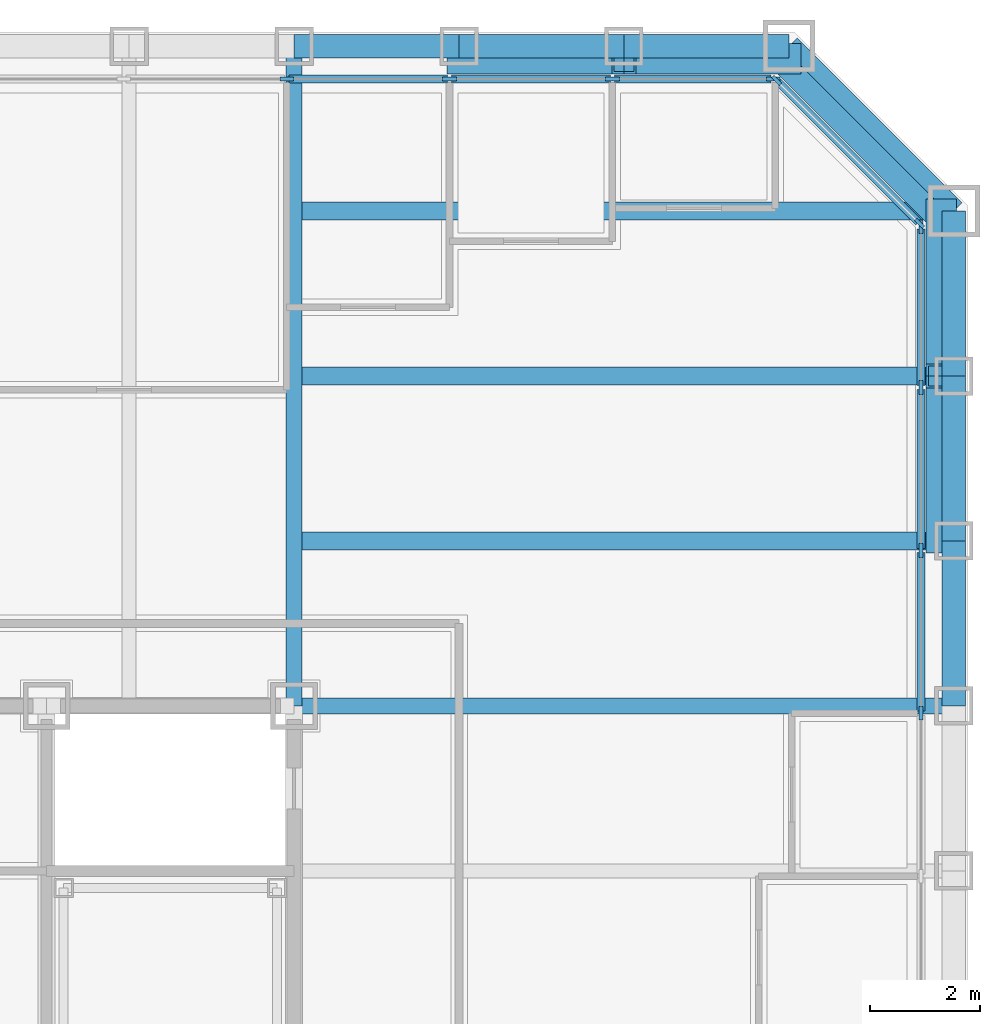
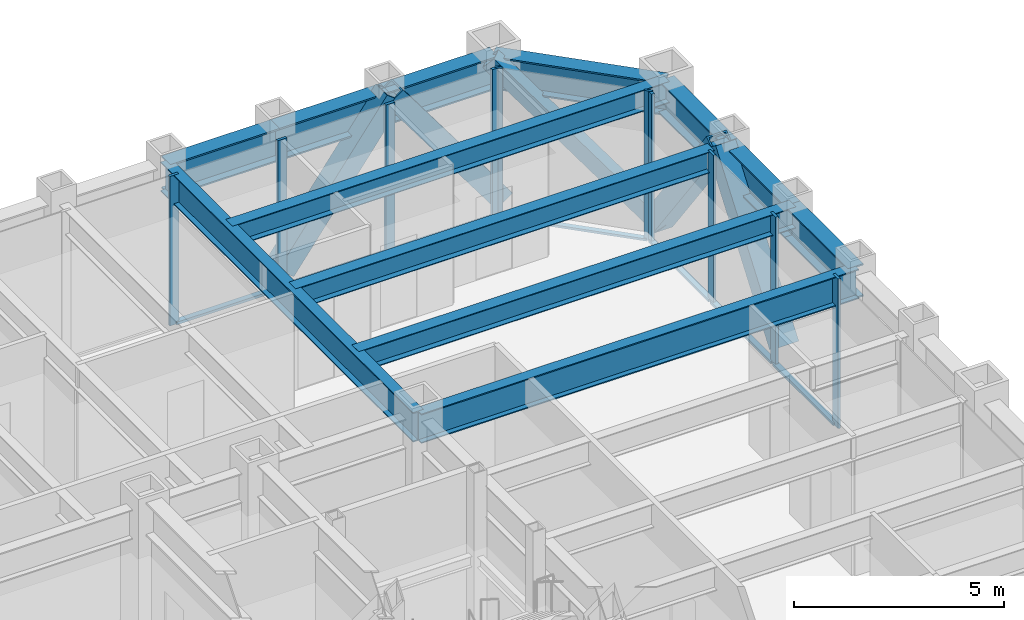
# One storey, part 6 of 16: 22 members, 12 beams, 3 elements without a shape of their own.
"""IFC4 building model written with IfcOpenShell, lengths in metres."""

from ifc_helpers import new_model, si_unit, direction, frame, origin, origin_2d, place, context, subcontext, project, spatial, rectangle, hollow_rectangle, i_section, extrude, material, layer, layer_set, material_profile, profile_set, type_object, element, aggregate, save


model = new_model("IFC4")

# Units and contexts
model_context = context("Model", 3, precision=1e-05, world=origin(), true_north=direction((0.0, 1.0)))
body_context = subcontext(model_context, "Body", "Model", "MODEL_VIEW")
ifc_project = project(units=[si_unit("LENGTHUNIT", "METRE"), si_unit("AREAUNIT", "SQUARE_METRE"), si_unit("VOLUMEUNIT", "CUBIC_METRE"), si_unit("PLANEANGLEUNIT", "RADIAN"), si_unit("MASSUNIT", "GRAM", prefix="KILO")], contexts=[model_context])

# Site, building, storey
site_placement = place(None, origin())
site = spatial("IfcSite", under=ifc_project, at=site_placement, CompositionType="ELEMENT")
building_placement = place(site_placement, origin())
building = spatial("IfcBuilding", under=site, at=building_placement, Name="Chuquiago Exchange Tower", CompositionType="ELEMENT")
storey_placement = place(building_placement, frame((0.0, 0.0, 51.300048828125)))
storey = spatial("IfcBuildingStorey", under=building, at=storey_placement, Name="L10", CompositionType="ELEMENT", Elevation=51.300048828125)

# Beams
ifc_material_1 = material(Name="Steel ASTM A992", Category="steel")
ifc_material_profile_1 = material_profile(ifc_material_1, i_section(OverallWidth=0.3251953125, OverallDepth=0.6171875, WebThickness=0.013916015625, FlangeThickness=0.021484375, at=origin_2d()), Name="W24X117")
ifc_profile_set_1 = profile_set([ifc_material_profile_1], Name="Steel ASTM A992")
beam_type_1 = type_object("IfcBeamType", Name="B5 W24X117", PredefinedType="BEAM", material=ifc_profile_set_1)
for number, where, z_axis, x_axis, name in (
    (1, (33.0, 36.0, 3.7314453125), (1.0, 0.0, 0.0), (0.0, 1.0, 0.0), "FB-L11-corner-33_36-45_36-0"),
    (2, (33.0, 39.0, 3.7314453125), (1.0, 0.0, 0.0), (0.0, 1.0, 0.0), "FB-L11-corner-33_39-45_39-0"),
    (3, (33.0, 42.0, 3.7314453125), (1.0, 0.0, 0.0), (0.0, 1.0, 0.0), "FB-L11-corner-33_42-45_42-0"),
):
    element("IfcBeam", number, at=place(storey_placement, frame(where, z_axis=z_axis, x_axis=x_axis)), inside=storey, type_object=beam_type_1, Name=name, PredefinedType="BEAM", context=body_context, shape_type="SweptSolid", body=[
        extrude(i_section(OverallWidth=0.3251953125, OverallDepth=0.6171875, WebThickness=0.013916015625, FlangeThickness=0.021484375, at=origin_2d()), origin(), (0.0, 0.0, 1.0), 12.0),
    ])

# Curtain wall, members
ifc_material_2 = material(Name="Aluminium curtain wall system", Category="aluminium")
ifc_layer_1 = layer(ifc_material_2, 0.25)
ifc_layer_set_1 = layer_set([ifc_layer_1], Name="CW1 trading floor curtain wall")
curtain_wall_type_1 = type_object("IfcCurtainWallType", Name="CW1 trading floor curtain wall", PredefinedType="NOTDEFINED", material=ifc_layer_set_1)
curtain_wall_1_placement = place(storey_placement, origin())
curtain_wall_1 = element("IfcCurtainWall", 4, at=curtain_wall_1_placement, inside=storey, type_object=curtain_wall_type_1, Name="CW1 curtain wall L10", PredefinedType="NOTDEFINED")
ifc_material_3 = material(Name="Aluminium mullion, pale anodised", Category="aluminium")
ifc_material_profile_2 = material_profile(ifc_material_3, rectangle(XDim=0.074951171875, YDim=0.25, at=origin_2d()), Name="AL 75x250")
ifc_profile_set_2 = profile_set([ifc_material_profile_2], Name="Aluminium mullion, pale anodised")
member_type_1 = type_object("IfcMemberType", Name="CW1-M mullion 75x250", PredefinedType="MULLION", material=ifc_profile_set_2)
member_1_placement = place(storey_placement, frame((44.39990234375, 32.8662109375, -0.300048828125), z_axis=(0.0, 0.0, 1.0), x_axis=(-1.0, 0.0, 0.0)))
member_1 = element("IfcMember", 5, at=member_1_placement, type_object=member_type_1, Name="CW1 mullion 11", PredefinedType="MULLION", context=body_context, shape_type="SweptSolid", body=[
    extrude(rectangle(XDim=0.074951171875, YDim=0.25, at=origin_2d()), origin(), (0.0, 0.0, 1.0), 4.340087890625),
])
member_2_placement = place(storey_placement, frame((44.39990234375, 35.827880859375, -0.300048828125), z_axis=(0.0, 0.0, 1.0), x_axis=(-1.0, 0.0, 0.0)))
member_2 = element("IfcMember", 6, at=member_2_placement, type_object=member_type_1, Name="CW1 mullion 12", PredefinedType="MULLION", context=body_context, shape_type="SweptSolid", body=[
    extrude(rectangle(XDim=0.074951171875, YDim=0.25, at=origin_2d()), origin(), (0.0, 0.0, 1.0), 4.340087890625),
])
member_3_placement = place(storey_placement, frame((44.39990234375, 38.789794921875, -0.300048828125), z_axis=(0.0, 0.0, 1.0), x_axis=(-1.0, 0.0, 0.0)))
member_3 = element("IfcMember", 7, at=member_3_placement, type_object=member_type_1, Name="CW1 mullion 13", PredefinedType="MULLION", context=body_context, shape_type="SweptSolid", body=[
    extrude(rectangle(XDim=0.074951171875, YDim=0.25, at=origin_2d()), origin(), (0.0, 0.0, 1.0), 4.340087890625),
])
member_4_placement = place(storey_placement, frame((44.39990234375, 41.714111328125, -0.300048828125), z_axis=(0.0, 0.0, 1.0), x_axis=(-1.0, 0.0, 0.0)))
member_4 = element("IfcMember", 8, at=member_4_placement, type_object=member_type_1, Name="CW1 mullion 14", PredefinedType="MULLION", context=body_context, shape_type="SweptSolid", body=[
    extrude(rectangle(XDim=0.074951171875, YDim=0.25, at=origin_2d()), origin(), (0.0, 0.0, 1.0), 4.340087890625),
])

curtain_wall_2_placement = place(storey_placement, origin())
curtain_wall_2 = element("IfcCurtainWall", 9, at=curtain_wall_2_placement, inside=storey, type_object=curtain_wall_type_1, Name="CW1 curtain wall L10", PredefinedType="NOTDEFINED")
member_5_placement = place(storey_placement, frame((41.714111328125, 44.39990234375, -0.300048828125), z_axis=(0.0, 0.0, 1.0), x_axis=(0.0, -1.0, 0.0)))
member_5 = element("IfcMember", 10, at=member_5_placement, type_object=member_type_1, Name="CW1 mullion 1", PredefinedType="MULLION", context=body_context, shape_type="SweptSolid", body=[
    extrude(rectangle(XDim=0.074951171875, YDim=0.25, at=origin_2d()), origin(), (0.0, 0.0, 1.0), 4.340087890625),
])
member_6_placement = place(storey_placement, frame((38.789794921875, 44.39990234375, -0.300048828125), z_axis=(0.0, 0.0, 1.0), x_axis=(0.0, -1.0, 0.0)))
member_6 = element("IfcMember", 11, at=member_6_placement, type_object=member_type_1, Name="CW1 mullion 2", PredefinedType="MULLION", context=body_context, shape_type="SweptSolid", body=[
    extrude(rectangle(XDim=0.074951171875, YDim=0.25, at=origin_2d()), origin(), (0.0, 0.0, 1.0), 4.340087890625),
])
member_7_placement = place(storey_placement, frame((35.827880859375, 44.39990234375, -0.300048828125), z_axis=(0.0, 0.0, 1.0), x_axis=(0.0, -1.0, 0.0)))
member_7 = element("IfcMember", 12, at=member_7_placement, type_object=member_type_1, Name="CW1 mullion 3", PredefinedType="MULLION", context=body_context, shape_type="SweptSolid", body=[
    extrude(rectangle(XDim=0.074951171875, YDim=0.25, at=origin_2d()), origin(), (0.0, 0.0, 1.0), 4.340087890625),
])
member_8_placement = place(storey_placement, frame((32.8662109375, 44.39990234375, -0.300048828125), z_axis=(0.0, 0.0, 1.0), x_axis=(0.0, -1.0, 0.0)))
member_8 = element("IfcMember", 13, at=member_8_placement, type_object=member_type_1, Name="CW1 mullion 4", PredefinedType="MULLION", context=body_context, shape_type="SweptSolid", body=[
    extrude(rectangle(XDim=0.074951171875, YDim=0.25, at=origin_2d()), origin(), (0.0, 0.0, 1.0), 4.340087890625),
])

# Member
ifc_material_4 = material(Name="Aluminium transom, pale anodised", Category="aluminium")
ifc_material_profile_3 = material_profile(ifc_material_4, rectangle(XDim=0.14990234375, YDim=0.074951171875, at=origin_2d()), Name="AL 150x75")
ifc_profile_set_3 = profile_set([ifc_material_profile_3], Name="Aluminium transom, pale anodised")
member_type_2 = type_object("IfcMemberType", Name="CW1-T transom 75x150", PredefinedType="MULLION", material=ifc_profile_set_3)
member_9_placement = place(storey_placement, frame((44.39990234375, 32.90380859375, -0.262451171875), z_axis=(0.0, 1.0, 0.0), x_axis=(-1.0, 0.0, 0.0)))
member_9 = element("IfcMember", 14, at=member_9_placement, type_object=member_type_2, Name="CW1 transom 11.1", PredefinedType="MULLION", context=body_context, shape_type="SweptSolid", body=[
    extrude(rectangle(XDim=0.14990234375, YDim=0.074951171875, at=origin_2d()), origin(), (0.0, 0.0, 1.0), 2.88671875),
])

member_10_placement = place(storey_placement, frame((44.39990234375, 35.865478515625, -0.262451171875), z_axis=(0.0, 1.0, 0.0), x_axis=(-1.0, 0.0, 0.0)))
member_10 = element("IfcMember", 15, at=member_10_placement, type_object=member_type_2, Name="CW1 transom 12.1", PredefinedType="MULLION", context=body_context, shape_type="SweptSolid", body=[
    extrude(rectangle(XDim=0.14990234375, YDim=0.074951171875, at=origin_2d()), origin(), (0.0, 0.0, 1.0), 2.88671875),
])

member_11_placement = place(storey_placement, frame((44.39990234375, 38.8271484375, -0.262451171875), z_axis=(0.0, 1.0, 0.0), x_axis=(-1.0, 0.0, 0.0)))
member_11 = element("IfcMember", 16, at=member_11_placement, type_object=member_type_2, Name="CW1 transom 13.1", PredefinedType="MULLION", context=body_context, shape_type="SweptSolid", body=[
    extrude(rectangle(XDim=0.14990234375, YDim=0.074951171875, at=origin_2d()), origin(), (0.0, 0.0, 1.0), 2.849365234375),
])

aggregate(curtain_wall_1, [member_1, member_2, member_3, member_4, member_9, member_10, member_11])

member_12_placement = place(storey_placement, frame((41.676513671875, 44.39990234375, -0.262451171875), z_axis=(-1.0, 0.0, 0.0), x_axis=(0.0, -1.0, 0.0)))
member_12 = element("IfcMember", 17, at=member_12_placement, type_object=member_type_2, Name="CW1 transom 1.1", PredefinedType="MULLION", context=body_context, shape_type="SweptSolid", body=[
    extrude(rectangle(XDim=0.14990234375, YDim=0.074951171875, at=origin_2d()), origin(), (0.0, 0.0, 1.0), 2.849365234375),
])

member_13_placement = place(storey_placement, frame((38.752197265625, 44.39990234375, -0.262451171875), z_axis=(-1.0, 0.0, 0.0), x_axis=(0.0, -1.0, 0.0)))
member_13 = element("IfcMember", 18, at=member_13_placement, type_object=member_type_2, Name="CW1 transom 2.1", PredefinedType="MULLION", context=body_context, shape_type="SweptSolid", body=[
    extrude(rectangle(XDim=0.14990234375, YDim=0.074951171875, at=origin_2d()), origin(), (0.0, 0.0, 1.0), 2.88671875),
])

member_14_placement = place(storey_placement, frame((35.79052734375, 44.39990234375, -0.262451171875), z_axis=(-1.0, 0.0, 0.0), x_axis=(0.0, -1.0, 0.0)))
member_14 = element("IfcMember", 19, at=member_14_placement, type_object=member_type_2, Name="CW1 transom 3.1", PredefinedType="MULLION", context=body_context, shape_type="SweptSolid", body=[
    extrude(rectangle(XDim=0.14990234375, YDim=0.074951171875, at=origin_2d()), origin(), (0.0, 0.0, 1.0), 2.88671875),
])

aggregate(curtain_wall_2, [member_5, member_6, member_7, member_8, member_12, member_13, member_14])

# Curtain wall, members
ifc_material_5 = material(Name="Aluminium curtain wall system", Category="aluminium")
ifc_layer_2 = layer(ifc_material_5, 0.199951171875)
ifc_layer_set_2 = layer_set([ifc_layer_2], Name="CW3 facet curtain wall")
curtain_wall_type_2 = type_object("IfcCurtainWallType", Name="CW3 facet curtain wall", PredefinedType="NOTDEFINED", material=ifc_layer_set_2)
curtain_wall_3_placement = place(storey_placement, origin())
curtain_wall_3 = element("IfcCurtainWall", 20, at=curtain_wall_3_placement, inside=storey, type_object=curtain_wall_type_2, Name="CW3 curtain wall L10", PredefinedType="NOTDEFINED")
ifc_material_6 = material(Name="Aluminium mullion, pale anodised", Category="aluminium")
ifc_material_profile_4 = material_profile(ifc_material_6, rectangle(XDim=0.06494140625, YDim=0.199951171875, at=origin_2d()), Name="AL 65x200")
ifc_profile_set_4 = profile_set([ifc_material_profile_4], Name="Aluminium mullion, pale anodised")
member_type_3 = type_object("IfcMemberType", Name="CW3-M mullion 65x200", PredefinedType="MULLION", material=ifc_profile_set_4)
member_15_placement = place(storey_placement, frame((44.376953125, 41.7744140625, -0.300048828125), z_axis=(0.0, 0.0, 1.0), x_axis=(-0.707106781187, -0.707106781187, 0.0)))
member_15 = element("IfcMember", 21, at=member_15_placement, type_object=member_type_3, Name="CW3 mullion 1", PredefinedType="MULLION", context=body_context, shape_type="SweptSolid", body=[
    extrude(rectangle(XDim=0.06494140625, YDim=0.199951171875, at=origin_2d()), origin(), (0.0, 0.0, 1.0), 4.340087890625),
])
member_16_placement = place(storey_placement, frame((41.7744140625, 44.376953125, -0.300048828125), z_axis=(0.0, 0.0, 1.0), x_axis=(-0.707106781187, -0.707106781187, 0.0)))
member_16 = element("IfcMember", 22, at=member_16_placement, type_object=member_type_3, Name="CW3 mullion 2", PredefinedType="MULLION", context=body_context, shape_type="SweptSolid", body=[
    extrude(rectangle(XDim=0.06494140625, YDim=0.199951171875, at=origin_2d()), origin(), (0.0, 0.0, 1.0), 4.340087890625),
])
ifc_material_7 = material(Name="Aluminium transom, pale anodised", Category="aluminium")
ifc_material_profile_5 = material_profile(ifc_material_7, rectangle(XDim=0.139892578125, YDim=0.06494140625, at=origin_2d()), Name="AL 140x65")
ifc_profile_set_5 = profile_set([ifc_material_profile_5], Name="Aluminium transom, pale anodised")
member_type_4 = type_object("IfcMemberType", Name="CW3-T transom 65x140", PredefinedType="MULLION", material=ifc_profile_set_5)
member_17_placement = place(storey_placement, frame((44.35400390625, 41.79736328125, -0.267578125), z_axis=(-0.707106781187, 0.707106781187, 0.0), x_axis=(-0.707106781187, -0.707106781187, 0.0)))
member_17 = element("IfcMember", 23, at=member_17_placement, type_object=member_type_4, Name="CW3 transom 1.1", PredefinedType="MULLION", context=body_context, shape_type="SweptSolid", body=[
    extrude(rectangle(XDim=0.139892578125, YDim=0.06494140625, at=origin_2d()), origin(), (0.0, 0.0, 1.0), 3.61572265625),
])
aggregate(curtain_wall_3, [member_15, member_16, member_17])

# Beams
ifc_material_8 = material(Name="Steel ASTM A992", Category="steel")
ifc_material_profile_6 = material_profile(ifc_material_8, i_section(OverallWidth=0.2919921875, OverallDepth=0.8583984375, WebThickness=0.01708984375, FlangeThickness=0.031005859375, at=origin_2d()), Name="W33X169")
ifc_profile_set_6 = profile_set([ifc_material_profile_6], Name="Steel ASTM A992")
beam_type_2 = type_object("IfcBeamType", Name="G2 W33X169", PredefinedType="BEAM", material=ifc_profile_set_6)
for number, where, z_axis, x_axis, name in (
    (24, (33.0, 33.0, 3.610595703125), (0.0, 1.0, 0.0), (-1.0, 0.0, 0.0), "FB-L11-girder-33_33-33_45-0"),
    (25, (33.0, 33.0, 3.610595703125), (1.0, 0.0, 0.0), (0.0, 1.0, 0.0), "FB-L11-girder-33_33-45_33-0"),
):
    element("IfcBeam", number, at=place(storey_placement, frame(where, z_axis=z_axis, x_axis=x_axis)), inside=storey, type_object=beam_type_2, Name=name, PredefinedType="BEAM", context=body_context, shape_type="SweptSolid", body=[
        extrude(i_section(OverallWidth=0.2919921875, OverallDepth=0.8583984375, WebThickness=0.01708984375, FlangeThickness=0.031005859375, at=origin_2d()), origin(), (0.0, 0.0, 1.0), 12.0),
    ])

# Members
ifc_material_9 = material(Name="Steel ASTM A500 Grade C", Category="steel")
ifc_material_profile_7 = material_profile(ifc_material_9, hollow_rectangle(XDim=0.406494140625, YDim=0.406494140625, WallThickness=0.0146484375, at=origin_2d()), Name="HSS16X16X5/8")
ifc_profile_set_7 = profile_set([ifc_material_profile_7], Name="Steel ASTM A500 Grade C")
member_type_5 = type_object("IfcMemberType", Name="LB4 HSS16X16X5/8", PredefinedType="BRACE", material=ifc_profile_set_7)
member_18_placement = place(storey_placement, frame((44.78662109375, 41.78662109375, 0.0), z_axis=(-0.512077265487, 0.512077265487, 0.689604051861), x_axis=(-0.707106781187, -0.707106781187, 0.0)))
element("IfcMember", 26, at=member_18_placement, inside=storey, type_object=member_type_5, Name="LB-L10-45_42-42_45", PredefinedType="BRACE", context=body_context, shape_type="SweptSolid", body=[
    extrude(hollow_rectangle(XDim=0.406494140625, YDim=0.406494140625, WallThickness=0.0146484375, at=origin_2d()), origin(), (0.0, 0.0, 1.0), 5.8583984375),
])
ifc_material_10 = material(Name="Steel ASTM A572 Grade 50", Category="steel")
ifc_material_profile_8 = material_profile(ifc_material_10, hollow_rectangle(XDim=0.550048828125, YDim=0.550048828125, WallThickness=0.044921875, at=origin_2d()), Name="BOX550X550X45")
ifc_profile_set_8 = profile_set([ifc_material_profile_8], Name="Steel ASTM A572 Grade 50")
member_type_6 = type_object("IfcMemberType", Name="MB1 BOX550X550X45", PredefinedType="BRACE", material=ifc_profile_set_8)
for number, where, z_axis, x_axis, name in (
    (27, (44.77001953125, 36.0, 0.0), (0.0, 0.596173923302, 0.802855312728), (-1.0, 0.0, 0.0), "Mega diagonal L10 E face"),
    (28, (44.77001953125, 42.0, 0.0), (0.0, -0.596173923302, 0.802855312728), (1.0, 0.0, 0.0), "Mega diagonal L10 E face"),
    (29, (42.0, 44.77001953125, 0.0), (-0.596173923302, 0.0, 0.802855312728), (0.0, -1.0, 0.0), "Mega diagonal L10 N face"),
    (30, (36.0, 44.77001953125, 0.0), (0.596173923302, 0.0, 0.802855312728), (0.0, 1.0, 0.0), "Mega diagonal L10 N face"),
):
    element("IfcMember", number, at=place(storey_placement, frame(where, z_axis=z_axis, x_axis=x_axis)), inside=storey, type_object=member_type_6, Name=name, PredefinedType="BRACE", context=body_context, shape_type="SweptSolid", body=[
        extrude(hollow_rectangle(XDim=0.550048828125, YDim=0.550048828125, WallThickness=0.044921875, at=origin_2d()), origin(), (0.0, 0.0, 1.0), 5.031982421875),
    ])

# Beams
ifc_material_11 = material(Name="Steel ASTM A992", Category="steel")
ifc_material_profile_9 = material_profile(ifc_material_11, i_section(OverallWidth=0.424072265625, OverallDepth=0.947509765625, WebThickness=0.02392578125, FlangeThickness=0.042724609375, at=origin_2d()), Name="W36X302")
ifc_profile_set_9 = profile_set([ifc_material_profile_9], Name="Steel ASTM A992")
beam_type_3 = type_object("IfcBeamType", Name="SP1 W36X302", PredefinedType="SPANDREL", material=ifc_profile_set_9)
for number, where, z_axis, x_axis, name in (
    (31, (45.0, 33.0, 3.566162109375), (0.0, 1.0, 0.0), (-1.0, 0.0, 0.0), "SPB-L11-45_33-45_36"),
    (32, (45.0, 36.0, 3.566162109375), (0.0, 1.0, 0.0), (-1.0, 0.0, 0.0), "SPB-L11-45_36-45_39"),
    (33, (45.0, 39.0, 3.566162109375), (0.0, 1.0, 0.0), (-1.0, 0.0, 0.0), "SPB-L11-45_39-45_42"),
):
    element("IfcBeam", number, at=place(storey_placement, frame(where, z_axis=z_axis, x_axis=x_axis)), inside=storey, type_object=beam_type_3, Name=name, PredefinedType="SPANDREL", context=body_context, shape_type="SweptSolid", body=[
        extrude(i_section(OverallWidth=0.424072265625, OverallDepth=0.947509765625, WebThickness=0.02392578125, FlangeThickness=0.042724609375, at=origin_2d()), origin(), (0.0, 0.0, 1.0), 3.0),
    ])
beam_placement = place(storey_placement, frame((45.0, 42.0, 3.566162109375), z_axis=(-0.707106781187, 0.707106781187, 0.0), x_axis=(-0.707106781187, -0.707106781187, 0.0)))
element("IfcBeam", 34, at=beam_placement, inside=storey, type_object=beam_type_3, Name="SPB-L11-45_42-42_45", PredefinedType="SPANDREL", context=body_context, shape_type="SweptSolid", body=[
    extrude(i_section(OverallWidth=0.424072265625, OverallDepth=0.947509765625, WebThickness=0.02392578125, FlangeThickness=0.042724609375, at=origin_2d()), origin(), (0.0, 0.0, 1.0), 4.24267578125),
])
for number, where, z_axis, x_axis, name in (
    (35, (42.0, 45.0, 3.566162109375), (-1.0, 0.0, 0.0), (0.0, -1.0, 0.0), "SPB-L11-42_45-39_45"),
    (36, (39.0, 45.0, 3.566162109375), (-1.0, 0.0, 0.0), (0.0, -1.0, 0.0), "SPB-L11-39_45-36_45"),
    (37, (36.0, 45.0, 3.566162109375), (-1.0, 0.0, 0.0), (0.0, -1.0, 0.0), "SPB-L11-36_45-33_45"),
):
    element("IfcBeam", number, at=place(storey_placement, frame(where, z_axis=z_axis, x_axis=x_axis)), inside=storey, type_object=beam_type_3, Name=name, PredefinedType="SPANDREL", context=body_context, shape_type="SweptSolid", body=[
        extrude(i_section(OverallWidth=0.424072265625, OverallDepth=0.947509765625, WebThickness=0.02392578125, FlangeThickness=0.042724609375, at=origin_2d()), origin(), (0.0, 0.0, 1.0), 3.0),
    ])

save(model, "model.ifc")
